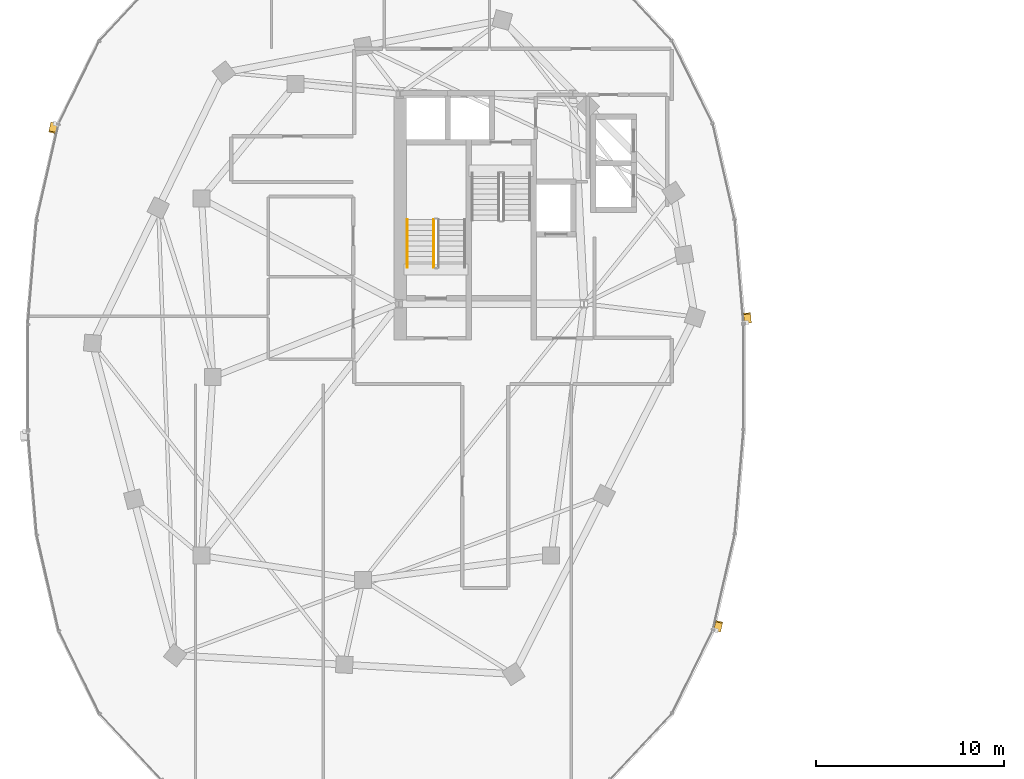
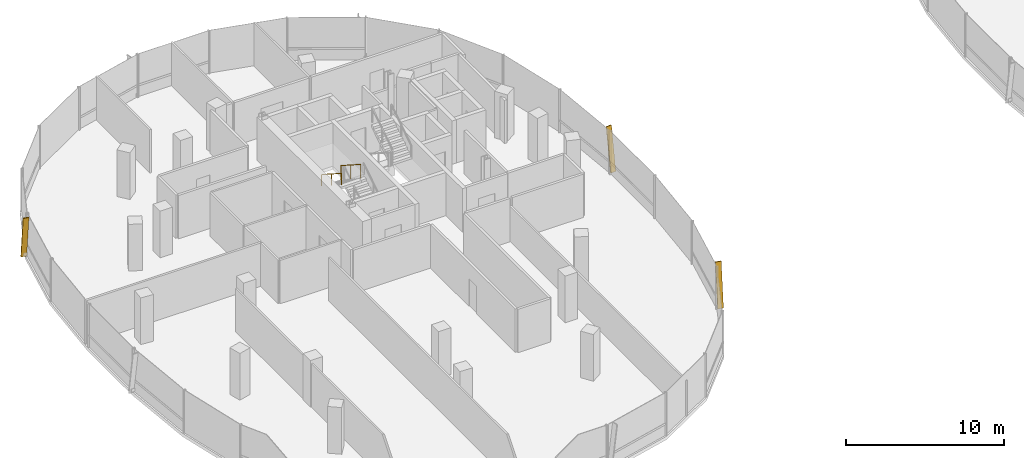
# One storey, part 22 of 25: 3 shading devices, 2 railings.
"""IFC4 building model written with IfcOpenShell, lengths in metres."""

import ifcopenshell
import ifcopenshell.guid

model = None  # the IFC model being written
_history = None  # IfcOwnerHistory: only IFC2X3 demands one
_inside = {}  # id of a spatial element -> (the spatial element, [elements in it])
_under = {}  # id of a project, library or spatial element -> (it, [spatial elements below it])
_declared = {}  # id of a project -> (the project, [libraries it declares])
_typed = {}  # id of a type object -> (the type object, [elements of that type])
_made_of = {}  # id of a material, layer set ... -> (it, [elements and type objects made of it])


def new_model(schema):
    """Start an empty IFC model of exactly this schema.

    Asked for "IFC4X3", IfcOpenShell would pick the latest addendum, in which some entities
    have other attributes; the version numbers below select the first issue.
    IFC2X3 requires an IfcOwnerHistory on every rooted entity: one is made here for all.
    """
    global model, _history
    if schema == "IFC4X3":
        model = ifcopenshell.file(schema_version=(4, 3, 0, 0))
    else:
        model = ifcopenshell.file(schema=schema)
    _inside.clear()
    _under.clear()
    _declared.clear()
    _typed.clear()
    _made_of.clear()
    _history = None
    if model.schema == "IFC2X3":
        org = make("IfcOrganization", Name="unknown")
        user = make(
            "IfcPersonAndOrganization",
            ThePerson=make("IfcPerson", FamilyName="unknown"),
            TheOrganization=org,
        )
        app = make(
            "IfcApplication",
            ApplicationDeveloper=org,
            Version="unknown",
            ApplicationFullName="unknown",
            ApplicationIdentifier="unknown",
        )
        _history = make(
            "IfcOwnerHistory",
            OwningUser=user,
            OwningApplication=app,
            ChangeAction="ADDED",
            CreationDate=0,
        )
    return model


def make(cls, **values):
    """One entity of the class cls with the attributes given. An attribute that is None is left unset."""
    return model.create_entity(
        cls, **{name: value for name, value in values.items() if value is not None}
    )


def rooted(cls, **values):
    """An entity with a GlobalId (a new one), such as an element, a storey or a relation."""
    return make(cls, GlobalId=ifcopenshell.guid.new(), OwnerHistory=_history, **values)


def si_unit(unit_type, name, prefix=None):
    """IfcSIUnit, for example si_unit("LENGTHUNIT", "METRE", prefix="MILLI")."""
    return make("IfcSIUnit", UnitType=unit_type, Prefix=prefix, Name=name)


def assignment(units):
    """IfcUnitAssignment: the units of a project."""
    return None if units is None else make("IfcUnitAssignment", Units=units)


def point(xyz):
    """IfcCartesianPoint."""
    return None if xyz is None else make("IfcCartesianPoint", Coordinates=xyz)


def direction(xyz):
    """IfcDirection."""
    return None if xyz is None else make("IfcDirection", DirectionRatios=xyz)


def frame(location, z_axis=None, x_axis=None):
    """IfcAxis2Placement3D, a coordinate frame: its origin and axes. An axis left out is left unset."""
    return make(
        "IfcAxis2Placement3D",
        Location=point(location),
        Axis=direction(z_axis),
        RefDirection=direction(x_axis),
    )


def frame_2d(location, x_axis=None):
    """IfcAxis2Placement2D, a coordinate frame in the plane: its origin and x axis."""
    return make(
        "IfcAxis2Placement2D", Location=point(location), RefDirection=direction(x_axis)
    )


def origin():
    """The frame at (0, 0, 0) with its axes left unset."""
    return frame((0.0, 0.0, 0.0))


def origin_2d():
    """The frame at (0, 0) in the plane with its x axis left unset."""
    return frame_2d((0.0, 0.0))


def place(relative_to, where):
    """IfcLocalPlacement: puts the frame where relative to a parent placement (None: the world)."""
    return make(
        "IfcLocalPlacement", PlacementRelTo=relative_to, RelativePlacement=where
    )


def context(
    kind, dimensions, precision=None, world=None, true_north=None, identifier=None
):
    """IfcGeometricRepresentationContext, for example the 3D "Model" context."""
    return make(
        "IfcGeometricRepresentationContext",
        ContextIdentifier=identifier,
        ContextType=kind,
        CoordinateSpaceDimension=dimensions,
        Precision=precision,
        WorldCoordinateSystem=world,
        TrueNorth=true_north,
    )


def subcontext(parent, identifier, kind, view, scale=None):
    """IfcGeometricRepresentationSubContext, for example "Body" below "Model"."""
    return make(
        "IfcGeometricRepresentationSubContext",
        ContextIdentifier=identifier,
        ContextType=kind,
        ParentContext=parent,
        TargetScale=scale,
        TargetView=view,
    )


def project(units=None, contexts=None):
    """IfcProject with its units and contexts."""
    return rooted(
        "IfcProject",
        Name="project",
        RepresentationContexts=contexts,
        UnitsInContext=assignment(units),
    )


def spatial(cls, under=None, at=None, **own):
    """A site, building, storey or space (cls), placed at a placement, below another one or the project."""
    s = rooted(cls, ObjectPlacement=at, **own)
    if under is not None:
        _under.setdefault(under.id(), (under, []))[1].append(s)
    return s


def profile(cls, at=None, kind="AREA", **sizes):
    """A parametric profile (cls). Its sizes go by their IFC names, for example OverallWidth=200.0."""
    return make(cls, ProfileType=kind, Position=at, **sizes)


def rectangle(**sizes):
    """IfcRectangleProfileDef."""
    return profile("IfcRectangleProfileDef", **sizes)


def extrude(swept, where, along, depth):
    """IfcExtrudedAreaSolid: the profile swept, set in the frame where, extruded along a direction by depth."""
    return make(
        "IfcExtrudedAreaSolid",
        SweptArea=swept,
        Position=where,
        ExtrudedDirection=direction(along),
        Depth=depth,
    )


def shape(context_of_items, identifier, shape_type, items):
    """IfcShapeRepresentation: the items that make up one representation, for example the "Body"."""
    return make(
        "IfcShapeRepresentation",
        ContextOfItems=context_of_items,
        RepresentationIdentifier=identifier,
        RepresentationType=shape_type,
        Items=items,
    )


def material(Name=None, Category=None):
    """IfcMaterial."""
    return make("IfcMaterial", Name=Name, Category=Category)


def material_profile(
    of_material, cross_section, Name=None, Category=None, Priority=None
):
    """IfcMaterialProfile: a cross section and its material."""
    return make(
        "IfcMaterialProfile",
        Name=Name,
        Material=of_material,
        Profile=cross_section,
        Priority=Priority,
        Category=Category,
    )


def profile_set(profiles, Name=None, composite=None):
    """IfcMaterialProfileSet."""
    return make(
        "IfcMaterialProfileSet",
        Name=Name,
        MaterialProfiles=profiles,
        CompositeProfile=composite,
    )


def made_of(thing, what):
    """Note that an element or type object is made of a material, layer set ...; save() writes the relation."""
    if what is not None:
        _made_of.setdefault(what.id(), (what, []))[1].append(thing)
    return thing


def type_object(cls, material=None, **own):
    """A type object (cls), such as IfcWallType, which elements share."""
    return made_of(rooted(cls, **own), material)


def element(
    cls,
    number,
    at=None,
    inside=None,
    cuts=None,
    type_object=None,
    material=None,
    context=None,
    identifier="Body",
    shape_type=None,
    held_by="IfcProductDefinitionShape",
    body=None,
    shapes=None,
    **own,
):
    """One element of the class cls, such as IfcWall. Its Tag is "e" and its number.

    at: its placement. inside: the storey or other place that contains it. cuts: it is an
    opening in that element (IfcRelVoidsElement). A single representation is given by context,
    identifier, shape_type and body (its items); several are given by shapes. held_by: the class
    of the entity that holds the representations. save() writes the other relations.
    """
    e = rooted(cls, Tag="e%d" % number, ObjectPlacement=at, **own)
    if body is not None:
        shapes = [shape(context, identifier, shape_type, body)]
    if shapes is not None:
        e.Representation = make(held_by, Representations=shapes)
    if inside is not None:
        _inside.setdefault(inside.id(), (inside, []))[1].append(e)
    if cuts is not None:
        rooted(
            "IfcRelVoidsElement", RelatingBuildingElement=cuts, RelatedOpeningElement=e
        )
    if type_object is not None:
        _typed.setdefault(type_object.id(), (type_object, []))[1].append(e)
    return made_of(e, material)


def aggregate(whole, parts):
    """IfcRelAggregates: a whole, such as a stair, and the parts it consists of."""
    return rooted("IfcRelAggregates", RelatingObject=whole, RelatedObjects=parts)


def save(model, path):
    """Write the relations noted so far, then the file.

    IfcRelAggregates (storeys below a building ...), IfcRelContainedInSpatialStructure (elements
    in a storey), IfcRelDefinesByType, IfcRelAssociatesMaterial and IfcRelDeclares: one each for
    every whole, place, type object, material and project.
    """
    for whole, parts in _under.values():
        aggregate(whole, parts)
    for where, things in _inside.values():
        rooted(
            "IfcRelContainedInSpatialStructure",
            RelatedElements=things,
            RelatingStructure=where,
        )
    for kind, things in _typed.values():
        rooted("IfcRelDefinesByType", RelatedObjects=things, RelatingType=kind)
    for what, things in _made_of.values():
        rooted("IfcRelAssociatesMaterial", RelatedObjects=things, RelatingMaterial=what)
    for by, libraries in _declared.values():
        rooted("IfcRelDeclares", RelatingContext=by, RelatedDefinitions=libraries)
    model.write(path)


model = new_model("IFC4")

# Units and contexts
model_context = context("Model", 3, precision=1e-05, world=origin(), true_north=direction((0.0, 1.0)))
body_context = subcontext(model_context, "Body", "Model", "MODEL_VIEW")
ifc_project = project(units=[si_unit("LENGTHUNIT", "METRE"), si_unit("AREAUNIT", "SQUARE_METRE"), si_unit("VOLUMEUNIT", "CUBIC_METRE"), si_unit("PLANEANGLEUNIT", "RADIAN"), si_unit("MASSUNIT", "GRAM", prefix="KILO"), si_unit("THERMODYNAMICTEMPERATUREUNIT", "KELVIN"), si_unit("POWERUNIT", "WATT")], contexts=[model_context])

# Site, building, storey
site_placement = place(None, origin())
site = spatial("IfcSite", under=ifc_project, at=site_placement, CompositionType="ELEMENT")
building_placement = place(site_placement, origin())
building = spatial("IfcBuilding", under=site, at=building_placement, Name="Cundina Bronze Exchange", CompositionType="ELEMENT")
storey_placement = place(building_placement, frame((0.0, 0.0, 195.39990234375)))
storey = spatial("IfcBuildingStorey", under=building, at=storey_placement, Name="L51", CompositionType="ELEMENT", Elevation=195.39990234375)

# Railings
ifc_material_1 = material(Name="Steel ASTM A36 Painted", Category="steel")
railing_type_1 = type_object("IfcRailingType", Name="RLG-HND-900", PredefinedType="HANDRAIL", material=ifc_material_1)
railing_1_placement = place(storey_placement, frame((-30.85009765625, 8.3701171875, 1.97998046875)))
element("IfcRailing", 1, at=railing_1_placement, inside=storey, type_object=railing_type_1, Name="L51 ST-W1 stair handrail 2", PredefinedType="HANDRAIL", context=body_context, shape_type="SweptSolid", body=[
    extrude(rectangle(XDim=0.048095703125, YDim=0.048095703125, at=origin_2d()), frame((0.0, 0.0, 0.8759765625), z_axis=(0.0, -0.841162588446, 0.540782303519), x_axis=(1.0, 0.0, 0.0)), (0.0, 0.0, 1.0), 2.995849609375),
    extrude(rectangle(XDim=0.0419921875, YDim=0.0419921875, at=origin_2d()), origin(), (0.0, 0.0, 1.0), 0.851806640625),
    extrude(rectangle(XDim=0.0419921875, YDim=0.0419921875, at=origin_2d()), frame((0.0, -1.260009765625, 0.81005859375)), (0.0, 0.0, 1.0), 0.851806640625),
    extrude(rectangle(XDim=0.0419921875, YDim=0.0419921875, at=origin_2d()), frame((0.0, -2.52001953125, 1.6201171875)), (0.0, 0.0, 1.0), 0.851806640625),
])
railing_type_2 = type_object("IfcRailingType", Name="RLG-STG-1100", PredefinedType="GUARDRAIL", material=ifc_material_1)
railing_2_placement = place(storey_placement, frame((-29.449951171875, 8.3701171875, 1.97998046875)))
element("IfcRailing", 2, at=railing_2_placement, inside=storey, type_object=railing_type_2, Name="L51 ST-W1 stair guard 3", PredefinedType="GUARDRAIL", context=body_context, shape_type="SweptSolid", body=[
    extrude(rectangle(XDim=0.048095703125, YDim=0.048095703125, at=origin_2d()), frame((0.0, 0.0, 1.076171875), z_axis=(0.0, -0.841162588446, 0.540782303519), x_axis=(1.0, 0.0, 0.0)), (0.0, 0.0, 1.0), 2.995849609375),
    extrude(rectangle(XDim=0.0419921875, YDim=0.0419921875, at=origin_2d()), origin(), (0.0, 0.0, 1.0), 1.052001953125),
    extrude(rectangle(XDim=0.0419921875, YDim=0.0419921875, at=origin_2d()), frame((0.0, -1.260009765625, 0.81005859375)), (0.0, 0.0, 1.0), 1.052001953125),
    extrude(rectangle(XDim=0.0419921875, YDim=0.0419921875, at=origin_2d()), frame((0.0, -2.52001953125, 1.6201171875)), (0.0, 0.0, 1.0), 1.052001953125),
])

# Shading devices
ifc_material_2 = material(Name="Anodised Bronze Aluminium 6063-T6", Category="aluminium")
ifc_material_profile = material_profile(ifc_material_2, rectangle(XDim=0.070068359375, YDim=0.3798828125, at=origin_2d()), Name="FIN70X380", Category="aluminium")
ifc_profile_set = profile_set([ifc_material_profile], Name="Anodised Bronze Aluminium 6063-T6")
shading_device_type = type_object("IfcShadingDeviceType", Name="SHD-FIN-BRZ380", PredefinedType="USERDEFINED", material=ifc_profile_set)
for number, where, z_axis, x_axis, name in (
    (3, (-12.735595703125, 2.90283203125, 0.02001953125), (-0.012006555776, 0.143419772964, 0.98958911238), (0.082555834947, -0.986139516224, 0.143921466983), "L51 Diagonal Bronze Solar Fin 1"),
    (4, (-49.636962890625, 13.4931640625, 0.02001953125), (-0.032139238682, -0.140343782583, 0.989581068951), (0.220899412839, 0.964610875656, 0.14397676192), "L51 Diagonal Bronze Solar Fin 5"),
    (5, (-14.363037109375, -13.4931640625, 0.02001953125), (0.032139238682, 0.140343782583, 0.989581068951), (-0.220899412839, -0.964610875656, 0.14397676192), "L51 Diagonal Bronze Solar Fin 5"),
):
    element("IfcShadingDevice", number, at=place(storey_placement, frame(where, z_axis=z_axis, x_axis=x_axis)), inside=storey, type_object=shading_device_type, Name=name, ObjectType="FIN", PredefinedType="USERDEFINED", context=body_context, shape_type="SweptSolid", body=[
        extrude(rectangle(XDim=0.070068359375, YDim=0.3798828125, at=origin_2d()), origin(), (0.0, 0.0, 1.0), 3.334716796875),
    ])

save(model, "model.ifc")
